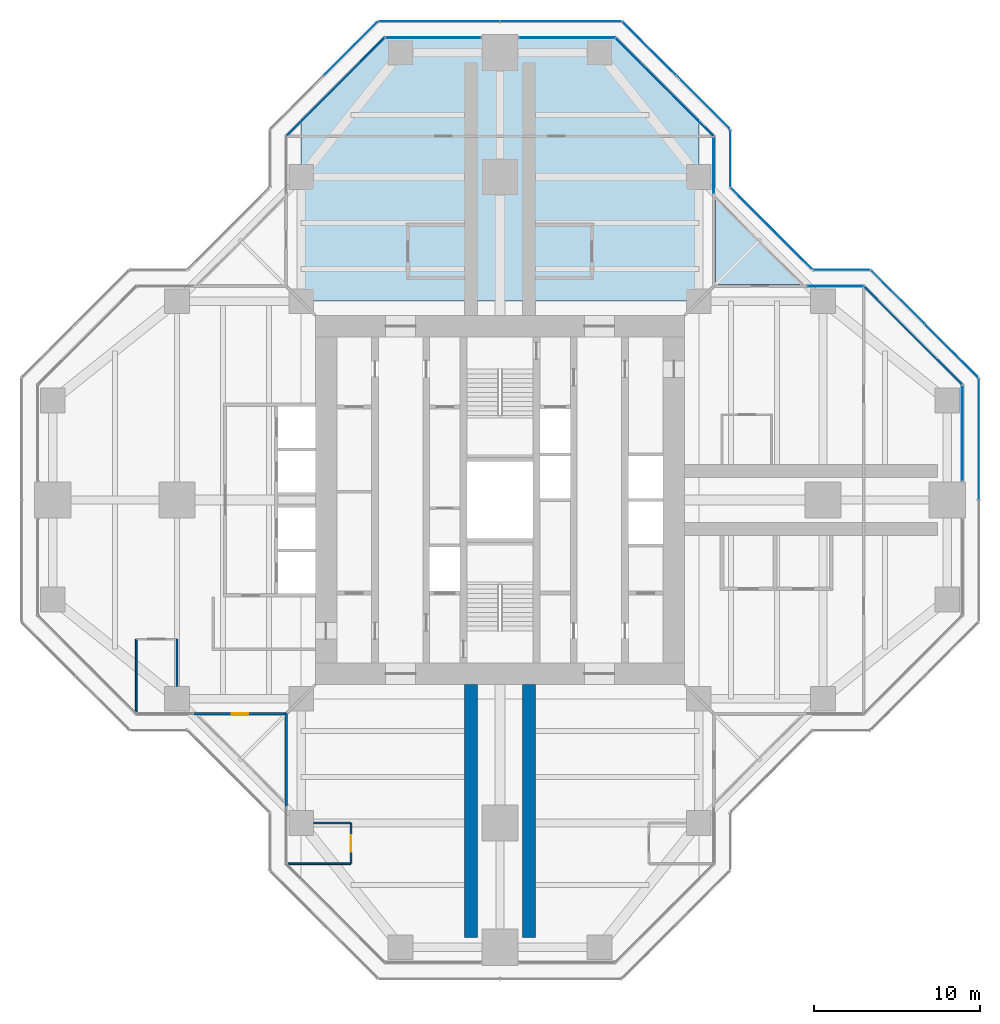
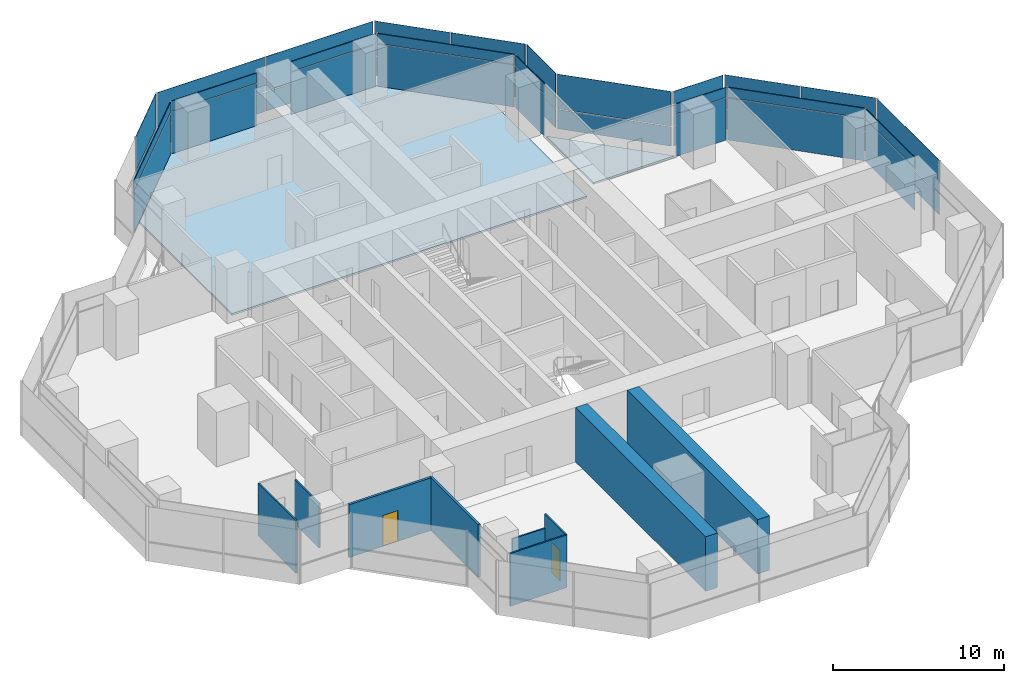
# One storey, part 12 of 17: 38 plates, 9 walls, 2 doors, 2 slabs, 2 openings, 16 elements without a shape of their own.
"""IFC4 building model written with IfcOpenShell, lengths in metres."""

from ifc_helpers import new_model, si_unit, direction, frame, frame_2d, origin, origin_2d, place, context, subcontext, project, spatial, polyline, rectangle, outline, extrude, material, layer, layer_set, type_object, element, fill, aggregate, save


model = new_model("IFC4")

# Units and contexts
model_context = context("Model", 3, precision=1e-05, world=origin(), true_north=direction((0.0, 1.0)))
body_context = subcontext(model_context, "Body", "Model", "MODEL_VIEW")
ifc_project = project(units=[si_unit("LENGTHUNIT", "METRE"), si_unit("AREAUNIT", "SQUARE_METRE"), si_unit("VOLUMEUNIT", "CUBIC_METRE"), si_unit("PLANEANGLEUNIT", "RADIAN"), si_unit("MASSUNIT", "GRAM", prefix="KILO")], contexts=[model_context])

# Site, building, storey
site_placement = place(None, origin())
site = spatial("IfcSite", under=ifc_project, at=site_placement, CompositionType="ELEMENT")
building_placement = place(site_placement, origin())
building = spatial("IfcBuilding", under=site, at=building_placement, Name="Mizan Broadcast Tower", CompositionType="ELEMENT")
storey_placement = place(building_placement, frame((0.0, 0.0, 236.10009765625)))
storey = spatial("IfcBuildingStorey", under=building, at=storey_placement, Name="L55", CompositionType="ELEMENT", Elevation=236.10009765625)

# Slab
ifc_material_1 = material(Name="Concrete C32/40", Category="concrete")
ifc_layer_1 = layer(ifc_material_1, 0.1298828125)
ifc_layer_set_1 = layer_set([ifc_layer_1], Name="Concrete C32/40")
slab_type_1 = type_object("IfcSlabType", Name="COMPOSITE DECK SLAB 130", PredefinedType="FLOOR", material=ifc_layer_set_1)
slab_1_placement = place(storey_placement, frame((0.0, 0.0, -0.130126953125)))
element("IfcSlab", 1, at=slab_1_placement, inside=storey, type_object=slab_type_1, Name="Floor slab L55 north arm", PredefinedType="FLOOR", context=body_context, shape_type="SweptSolid", body=[
    extrude(outline(polyline([(-7.0, 28.0), (-12.0, 23.0), (-12.0, 12.0), (12.0, 12.0), (12.0, 23.0), (7.0, 28.0), (-7.0, 28.0)])), origin(), (0.0, 0.0, 1.0), 0.130126953125),
])

# Curtain wall, plate
ifc_material_2 = material(Name="Aluminium framed glazing", Category="aluminium")
curtain_wall_type_1 = type_object("IfcCurtainWallType", Name="INNER SKIN HIGH ZONE", PredefinedType="USERDEFINED", material=ifc_material_2)
curtain_wall_1_placement = place(storey_placement, origin())
curtain_wall_1 = element("IfcCurtainWall", 2, at=curtain_wall_1_placement, inside=storey, type_object=curtain_wall_type_1, Name="Inner skin high zone L55 E end", ObjectType="INNER SKIN HIGH ZONE", PredefinedType="USERDEFINED")
ifc_material_3 = material(Name="Double glazing, clear low-e", Category="glass")
ifc_layer_2 = layer(ifc_material_3, 0.028076171875)
ifc_layer_set_2 = layer_set([ifc_layer_2], Name="Double glazing, clear low-e")
plate_type_1 = type_object("IfcPlateType", Name="INNER SKIN GLAZING UNIT", PredefinedType="CURTAIN_PANEL", material=ifc_layer_set_2)
plate_1_placement = place(storey_placement, frame((27.89990234375, 4.029296875, 0.0), z_axis=(0.0, 0.0, 1.0), x_axis=(0.0, 1.0, 0.0)))
plate_1 = element("IfcPlate", 3, at=plate_1_placement, type_object=plate_type_1, Name="Inner skin high zone L55 E end panel 1.1", PredefinedType="CURTAIN_PANEL", context=body_context, shape_type="SweptSolid", body=[
    extrude(rectangle(XDim=5.738525390625, YDim=0.028076171875, at=origin_2d()), origin(), (0.0, 0.0, 1.0), 3.0),
])

curtain_wall_2_placement = place(storey_placement, origin())
curtain_wall_2 = element("IfcCurtainWall", 4, at=curtain_wall_2_placement, inside=storey, type_object=curtain_wall_type_1, Name="Inner skin high zone L55 E chamfer", ObjectType="INNER SKIN HIGH ZONE", PredefinedType="USERDEFINED")
plate_2_placement = place(storey_placement, frame((24.92919921875, 9.92919921875, 0.0), z_axis=(0.0, 0.0, 1.0), x_axis=(-0.707106781187, 0.707106781187, 0.0)))
plate_2 = element("IfcPlate", 5, at=plate_2_placement, type_object=plate_type_1, Name="Inner skin high zone L55 E chamfer panel 1.1", PredefinedType="CURTAIN_PANEL", context=body_context, shape_type="SweptSolid", body=[
    extrude(rectangle(XDim=8.282470703125, YDim=0.028076171875, at=origin_2d()), origin(), (0.0, 0.0, 1.0), 3.0),
])

curtain_wall_3_placement = place(storey_placement, origin())
curtain_wall_3 = element("IfcCurtainWall", 6, at=curtain_wall_3_placement, inside=storey, type_object=curtain_wall_type_1, Name="Inner skin high zone L55 E side", ObjectType="INNER SKIN HIGH ZONE", PredefinedType="USERDEFINED")
plate_3_placement = place(storey_placement, frame((20.229248046875, 12.89990234375, 0.0), z_axis=(0.0, 0.0, 1.0), x_axis=(-1.0, 0.0, 0.0)))
plate_3 = element("IfcPlate", 7, at=plate_3_placement, type_object=plate_type_1, Name="Inner skin high zone L55 E side panel 1.1", PredefinedType="CURTAIN_PANEL", context=body_context, shape_type="SweptSolid", body=[
    extrude(rectangle(XDim=3.338623046875, YDim=0.028076171875, at=origin_2d()), origin(), (0.0, 0.0, 1.0), 3.0),
])

curtain_wall_4_placement = place(storey_placement, origin())
curtain_wall_4 = element("IfcCurtainWall", 8, at=curtain_wall_4_placement, inside=storey, type_object=curtain_wall_type_1, Name="Inner skin high zone L55 N side", ObjectType="INNER SKIN HIGH ZONE", PredefinedType="USERDEFINED")
plate_4_placement = place(storey_placement, frame((12.89990234375, 20.229248046875, 0.0), z_axis=(0.0, 0.0, 1.0), x_axis=(0.0, 1.0, 0.0)))
plate_4 = element("IfcPlate", 9, at=plate_4_placement, type_object=plate_type_1, Name="Inner skin high zone L55 N side panel 1.1", PredefinedType="CURTAIN_PANEL", context=body_context, shape_type="SweptSolid", body=[
    extrude(rectangle(XDim=3.338623046875, YDim=0.028076171875, at=origin_2d()), origin(), (0.0, 0.0, 1.0), 3.0),
])

curtain_wall_5_placement = place(storey_placement, origin())
curtain_wall_5 = element("IfcCurtainWall", 10, at=curtain_wall_5_placement, inside=storey, type_object=curtain_wall_type_1, Name="Inner skin high zone L55 N chamfer", ObjectType="INNER SKIN HIGH ZONE", PredefinedType="USERDEFINED")
plate_5_placement = place(storey_placement, frame((9.92919921875, 24.92919921875, 0.0), z_axis=(0.0, 0.0, 1.0), x_axis=(-0.707106781187, 0.707106781187, 0.0)))
plate_5 = element("IfcPlate", 11, at=plate_5_placement, type_object=plate_type_1, Name="Inner skin high zone L55 N chamfer panel 1.1", PredefinedType="CURTAIN_PANEL", context=body_context, shape_type="SweptSolid", body=[
    extrude(rectangle(XDim=8.282470703125, YDim=0.028076171875, at=origin_2d()), origin(), (0.0, 0.0, 1.0), 3.0),
])

curtain_wall_6_placement = place(storey_placement, origin())
curtain_wall_6 = element("IfcCurtainWall", 12, at=curtain_wall_6_placement, inside=storey, type_object=curtain_wall_type_1, Name="Inner skin high zone L55 N end", ObjectType="INNER SKIN HIGH ZONE", PredefinedType="USERDEFINED")
plate_6_placement = place(storey_placement, frame((4.029296875, 27.89990234375, 0.0), z_axis=(0.0, 0.0, 1.0), x_axis=(-1.0, 0.0, 0.0)))
plate_6 = element("IfcPlate", 13, at=plate_6_placement, type_object=plate_type_1, Name="Inner skin high zone L55 N end panel 1.1", PredefinedType="CURTAIN_PANEL", context=body_context, shape_type="SweptSolid", body=[
    extrude(rectangle(XDim=5.738525390625, YDim=0.028076171875, at=origin_2d()), origin(), (0.0, 0.0, 1.0), 3.0),
])

curtain_wall_7_placement = place(storey_placement, origin())
curtain_wall_7 = element("IfcCurtainWall", 14, at=curtain_wall_7_placement, inside=storey, type_object=curtain_wall_type_1, Name="Inner skin high zone L55 N end", ObjectType="INNER SKIN HIGH ZONE", PredefinedType="USERDEFINED")
plate_7_placement = place(storey_placement, frame((-4.029296875, 27.89990234375, 0.0), z_axis=(0.0, 0.0, 1.0), x_axis=(-1.0, 0.0, 0.0)))
plate_7 = element("IfcPlate", 15, at=plate_7_placement, type_object=plate_type_1, Name="Inner skin high zone L55 N end panel 1.1", PredefinedType="CURTAIN_PANEL", context=body_context, shape_type="SweptSolid", body=[
    extrude(rectangle(XDim=5.738525390625, YDim=0.028076171875, at=origin_2d()), origin(), (0.0, 0.0, 1.0), 3.0),
])

curtain_wall_8_placement = place(storey_placement, origin())
curtain_wall_8 = element("IfcCurtainWall", 16, at=curtain_wall_8_placement, inside=storey, type_object=curtain_wall_type_1, Name="Inner skin high zone L55 N chamfer", ObjectType="INNER SKIN HIGH ZONE", PredefinedType="USERDEFINED")
plate_8_placement = place(storey_placement, frame((-9.92919921875, 24.92919921875, 0.0), z_axis=(0.0, 0.0, 1.0), x_axis=(-0.707106781187, -0.707106781187, 0.0)))
plate_8 = element("IfcPlate", 17, at=plate_8_placement, type_object=plate_type_1, Name="Inner skin high zone L55 N chamfer panel 1.1", PredefinedType="CURTAIN_PANEL", context=body_context, shape_type="SweptSolid", body=[
    extrude(rectangle(XDim=8.282470703125, YDim=0.028076171875, at=origin_2d()), origin(), (0.0, 0.0, 1.0), 3.0),
])

# Plate
ifc_material_4 = material(Name="Insulated aluminium spandrel panel, pale anodised", Category="aluminium")
ifc_layer_3 = layer(ifc_material_4, 0.050048828125)
ifc_layer_set_3 = layer_set([ifc_layer_3], Name="Insulated aluminium spandrel panel, pale anodised")
plate_type_2 = type_object("IfcPlateType", Name="INNER SKIN SPANDREL PANEL", PredefinedType="CURTAIN_PANEL", material=ifc_layer_set_3)
plate_9_placement = place(storey_placement, frame((27.89990234375, 4.029296875, 3.059814453125), z_axis=(0.0, 0.0, 1.0), x_axis=(0.0, 1.0, 0.0)))
plate_9 = element("IfcPlate", 18, at=plate_9_placement, type_object=plate_type_2, Name="Inner skin high zone L55 E end panel 1.2", PredefinedType="CURTAIN_PANEL", context=body_context, shape_type="SweptSolid", body=[
    extrude(rectangle(XDim=5.738525390625, YDim=0.050048828125, at=origin_2d()), origin(), (0.0, 0.0, 1.0), 0.7099609375),
])

aggregate(curtain_wall_1, [plate_1, plate_9])

plate_10_placement = place(storey_placement, frame((24.92919921875, 9.92919921875, 3.059814453125), z_axis=(0.0, 0.0, 1.0), x_axis=(-0.707106781187, 0.707106781187, 0.0)))
plate_10 = element("IfcPlate", 19, at=plate_10_placement, type_object=plate_type_2, Name="Inner skin high zone L55 E chamfer panel 1.2", PredefinedType="CURTAIN_PANEL", context=body_context, shape_type="SweptSolid", body=[
    extrude(rectangle(XDim=8.282470703125, YDim=0.050048828125, at=origin_2d()), origin(), (0.0, 0.0, 1.0), 0.7099609375),
])

aggregate(curtain_wall_2, [plate_2, plate_10])

plate_11_placement = place(storey_placement, frame((20.229248046875, 12.89990234375, 3.059814453125), z_axis=(0.0, 0.0, 1.0), x_axis=(-1.0, 0.0, 0.0)))
plate_11 = element("IfcPlate", 20, at=plate_11_placement, type_object=plate_type_2, Name="Inner skin high zone L55 E side panel 1.2", PredefinedType="CURTAIN_PANEL", context=body_context, shape_type="SweptSolid", body=[
    extrude(rectangle(XDim=3.338623046875, YDim=0.050048828125, at=origin_2d()), origin(), (0.0, 0.0, 1.0), 0.7099609375),
])

aggregate(curtain_wall_3, [plate_3, plate_11])

plate_12_placement = place(storey_placement, frame((12.89990234375, 20.229248046875, 3.059814453125), z_axis=(0.0, 0.0, 1.0), x_axis=(0.0, 1.0, 0.0)))
plate_12 = element("IfcPlate", 21, at=plate_12_placement, type_object=plate_type_2, Name="Inner skin high zone L55 N side panel 1.2", PredefinedType="CURTAIN_PANEL", context=body_context, shape_type="SweptSolid", body=[
    extrude(rectangle(XDim=3.338623046875, YDim=0.050048828125, at=origin_2d()), origin(), (0.0, 0.0, 1.0), 0.7099609375),
])

aggregate(curtain_wall_4, [plate_4, plate_12])

plate_13_placement = place(storey_placement, frame((9.92919921875, 24.92919921875, 3.059814453125), z_axis=(0.0, 0.0, 1.0), x_axis=(-0.707106781187, 0.707106781187, 0.0)))
plate_13 = element("IfcPlate", 22, at=plate_13_placement, type_object=plate_type_2, Name="Inner skin high zone L55 N chamfer panel 1.2", PredefinedType="CURTAIN_PANEL", context=body_context, shape_type="SweptSolid", body=[
    extrude(rectangle(XDim=8.282470703125, YDim=0.050048828125, at=origin_2d()), origin(), (0.0, 0.0, 1.0), 0.7099609375),
])

aggregate(curtain_wall_5, [plate_5, plate_13])

plate_14_placement = place(storey_placement, frame((4.029296875, 27.89990234375, 3.059814453125), z_axis=(0.0, 0.0, 1.0), x_axis=(-1.0, 0.0, 0.0)))
plate_14 = element("IfcPlate", 23, at=plate_14_placement, type_object=plate_type_2, Name="Inner skin high zone L55 N end panel 1.2", PredefinedType="CURTAIN_PANEL", context=body_context, shape_type="SweptSolid", body=[
    extrude(rectangle(XDim=5.738525390625, YDim=0.050048828125, at=origin_2d()), origin(), (0.0, 0.0, 1.0), 0.7099609375),
])

aggregate(curtain_wall_6, [plate_6, plate_14])

plate_15_placement = place(storey_placement, frame((-4.029296875, 27.89990234375, 3.059814453125), z_axis=(0.0, 0.0, 1.0), x_axis=(-1.0, 0.0, 0.0)))
plate_15 = element("IfcPlate", 24, at=plate_15_placement, type_object=plate_type_2, Name="Inner skin high zone L55 N end panel 1.2", PredefinedType="CURTAIN_PANEL", context=body_context, shape_type="SweptSolid", body=[
    extrude(rectangle(XDim=5.738525390625, YDim=0.050048828125, at=origin_2d()), origin(), (0.0, 0.0, 1.0), 0.7099609375),
])

aggregate(curtain_wall_7, [plate_7, plate_15])

plate_16_placement = place(storey_placement, frame((-9.92919921875, 24.92919921875, 3.059814453125), z_axis=(0.0, 0.0, 1.0), x_axis=(-0.707106781187, -0.707106781187, 0.0)))
plate_16 = element("IfcPlate", 25, at=plate_16_placement, type_object=plate_type_2, Name="Inner skin high zone L55 N chamfer panel 1.2", PredefinedType="CURTAIN_PANEL", context=body_context, shape_type="SweptSolid", body=[
    extrude(rectangle(XDim=8.282470703125, YDim=0.050048828125, at=origin_2d()), origin(), (0.0, 0.0, 1.0), 0.7099609375),
])

aggregate(curtain_wall_8, [plate_8, plate_16])

# Curtain wall, plates
ifc_material_5 = material(Name="Aluminium framed glazing", Category="aluminium")
curtain_wall_type_2 = type_object("IfcCurtainWallType", Name="OUTER SKIN", PredefinedType="USERDEFINED", material=ifc_material_5)
curtain_wall_9_placement = place(storey_placement, origin())
curtain_wall_9 = element("IfcCurtainWall", 26, at=curtain_wall_9_placement, inside=storey, type_object=curtain_wall_type_2, Name="Outer skin L55 E chamfer", ObjectType="OUTER SKIN", PredefinedType="USERDEFINED")
ifc_material_6 = material(Name="Laminated clear glass", Category="glass")
ifc_layer_4 = layer(ifc_material_6, 0.02001953125)
ifc_layer_set_4 = layer_set([ifc_layer_4], Name="Laminated clear glass")
plate_type_3 = type_object("IfcPlateType", Name="OUTER SKIN CLEAR GLASS", PredefinedType="CURTAIN_PANEL", material=ifc_layer_set_4)
plate_17_placement = place(storey_placement, frame((27.254150390625, 9.018798828125, -0.000244140625), z_axis=(0.0, 0.0, 1.0), x_axis=(-0.707106781187, 0.707106781187, 0.0)))
plate_17 = element("IfcPlate", 27, at=plate_17_placement, type_object=plate_type_3, Name="Outer skin L55 E chamfer panel 1.1", PredefinedType="CURTAIN_PANEL", context=body_context, shape_type="SweptSolid", body=[
    extrude(rectangle(XDim=4.495361328125, YDim=0.02001953125, at=origin_2d()), origin(), (0.0, 0.0, 1.0), 1.3701171875),
])
plate_18_placement = place(storey_placement, frame((27.254150390625, 9.018798828125, 1.4296875), z_axis=(0.0, 0.0, 1.0), x_axis=(-0.707106781187, 0.707106781187, 0.0)))
plate_18 = element("IfcPlate", 28, at=plate_18_placement, type_object=plate_type_3, Name="Outer skin L55 E chamfer panel 1.2", PredefinedType="CURTAIN_PANEL", context=body_context, shape_type="SweptSolid", body=[
    extrude(rectangle(XDim=4.495361328125, YDim=0.02001953125, at=origin_2d()), origin(), (0.0, 0.0, 1.0), 2.469970703125),
])

curtain_wall_10_placement = place(storey_placement, origin())
curtain_wall_10 = element("IfcCurtainWall", 29, at=curtain_wall_10_placement, inside=storey, type_object=curtain_wall_type_2, Name="Outer skin L55 E side", ObjectType="OUTER SKIN", PredefinedType="USERDEFINED")
plate_19_placement = place(storey_placement, frame((20.622802734375, 13.89990234375, -0.000244140625), z_axis=(0.0, 0.0, 1.0), x_axis=(-1.0, 0.0, 0.0)))
plate_19 = element("IfcPlate", 30, at=plate_19_placement, type_object=plate_type_3, Name="Outer skin L55 E side panel 1.1", PredefinedType="CURTAIN_PANEL", context=body_context, shape_type="SweptSolid", body=[
    extrude(rectangle(XDim=3.340087890625, YDim=0.02001953125, at=origin_2d()), origin(), (0.0, 0.0, 1.0), 1.3701171875),
])
plate_20_placement = place(storey_placement, frame((20.622802734375, 13.89990234375, 1.4296875), z_axis=(0.0, 0.0, 1.0), x_axis=(-1.0, 0.0, 0.0)))
plate_20 = element("IfcPlate", 31, at=plate_20_placement, type_object=plate_type_3, Name="Outer skin L55 E side panel 1.2", PredefinedType="CURTAIN_PANEL", context=body_context, shape_type="SweptSolid", body=[
    extrude(rectangle(XDim=3.340087890625, YDim=0.02001953125, at=origin_2d()), origin(), (0.0, 0.0, 1.0), 2.469970703125),
])
aggregate(curtain_wall_10, [plate_19, plate_20])

curtain_wall_11_placement = place(storey_placement, origin())
curtain_wall_11 = element("IfcCurtainWall", 32, at=curtain_wall_11_placement, inside=storey, type_object=curtain_wall_type_2, Name="Outer skin L55 E chamfer", ObjectType="OUTER SKIN", PredefinedType="USERDEFINED")
plate_21_placement = place(storey_placement, frame((16.386474609375, 16.386474609375, -0.000244140625), z_axis=(0.0, 0.0, 1.0), x_axis=(-0.707106781187, 0.707106781187, 0.0)))
plate_21 = element("IfcPlate", 33, at=plate_21_placement, type_object=plate_type_3, Name="Outer skin L55 E chamfer panel 1.1", PredefinedType="CURTAIN_PANEL", context=body_context, shape_type="SweptSolid", body=[
    extrude(rectangle(XDim=6.87255859375, YDim=0.02001953125, at=origin_2d()), origin(), (0.0, 0.0, 1.0), 1.3701171875),
])
plate_22_placement = place(storey_placement, frame((16.386474609375, 16.386474609375, 1.4296875), z_axis=(0.0, 0.0, 1.0), x_axis=(-0.707106781187, 0.707106781187, 0.0)))
plate_22 = element("IfcPlate", 34, at=plate_22_placement, type_object=plate_type_3, Name="Outer skin L55 E chamfer panel 1.2", PredefinedType="CURTAIN_PANEL", context=body_context, shape_type="SweptSolid", body=[
    extrude(rectangle(XDim=6.87255859375, YDim=0.02001953125, at=origin_2d()), origin(), (0.0, 0.0, 1.0), 2.469970703125),
])
aggregate(curtain_wall_11, [plate_21, plate_22])

curtain_wall_12_placement = place(storey_placement, origin())
curtain_wall_12 = element("IfcCurtainWall", 35, at=curtain_wall_12_placement, inside=storey, type_object=curtain_wall_type_2, Name="Outer skin L55 N side", ObjectType="OUTER SKIN", PredefinedType="USERDEFINED")
plate_23_placement = place(storey_placement, frame((13.89990234375, 20.622802734375, -0.000244140625), z_axis=(0.0, 0.0, 1.0), x_axis=(0.0, 1.0, 0.0)))
plate_23 = element("IfcPlate", 36, at=plate_23_placement, type_object=plate_type_3, Name="Outer skin L55 N side panel 1.1", PredefinedType="CURTAIN_PANEL", context=body_context, shape_type="SweptSolid", body=[
    extrude(rectangle(XDim=3.340087890625, YDim=0.02001953125, at=origin_2d()), origin(), (0.0, 0.0, 1.0), 1.3701171875),
])
plate_24_placement = place(storey_placement, frame((13.89990234375, 20.622802734375, 1.4296875), z_axis=(0.0, 0.0, 1.0), x_axis=(0.0, 1.0, 0.0)))
plate_24 = element("IfcPlate", 37, at=plate_24_placement, type_object=plate_type_3, Name="Outer skin L55 N side panel 1.2", PredefinedType="CURTAIN_PANEL", context=body_context, shape_type="SweptSolid", body=[
    extrude(rectangle(XDim=3.340087890625, YDim=0.02001953125, at=origin_2d()), origin(), (0.0, 0.0, 1.0), 2.469970703125),
])
aggregate(curtain_wall_12, [plate_23, plate_24])

curtain_wall_13_placement = place(storey_placement, origin())
curtain_wall_13 = element("IfcCurtainWall", 38, at=curtain_wall_13_placement, inside=storey, type_object=curtain_wall_type_2, Name="Outer skin L55 N chamfer", ObjectType="OUTER SKIN", PredefinedType="USERDEFINED")
plate_25_placement = place(storey_placement, frame((12.254150390625, 24.018798828125, -0.000244140625), z_axis=(0.0, 0.0, 1.0), x_axis=(-0.707106781187, 0.707106781187, 0.0)))
plate_25 = element("IfcPlate", 39, at=plate_25_placement, type_object=plate_type_3, Name="Outer skin L55 N chamfer panel 1.1", PredefinedType="CURTAIN_PANEL", context=body_context, shape_type="SweptSolid", body=[
    extrude(rectangle(XDim=4.495361328125, YDim=0.02001953125, at=origin_2d()), origin(), (0.0, 0.0, 1.0), 1.3701171875),
])
plate_26_placement = place(storey_placement, frame((12.254150390625, 24.018798828125, 1.4296875), z_axis=(0.0, 0.0, 1.0), x_axis=(-0.707106781187, 0.707106781187, 0.0)))
plate_26 = element("IfcPlate", 40, at=plate_26_placement, type_object=plate_type_3, Name="Outer skin L55 N chamfer panel 1.2", PredefinedType="CURTAIN_PANEL", context=body_context, shape_type="SweptSolid", body=[
    extrude(rectangle(XDim=4.495361328125, YDim=0.02001953125, at=origin_2d()), origin(), (0.0, 0.0, 1.0), 2.469970703125),
])

curtain_wall_14_placement = place(storey_placement, origin())
curtain_wall_14 = element("IfcCurtainWall", 41, at=curtain_wall_14_placement, inside=storey, type_object=curtain_wall_type_2, Name="Outer skin L55 N end", ObjectType="OUTER SKIN", PredefinedType="USERDEFINED")
plate_27_placement = place(storey_placement, frame((3.66650390625, 28.89990234375, -0.000244140625), z_axis=(0.0, 0.0, 1.0), x_axis=(-1.0, 0.0, 0.0)))
plate_27 = element("IfcPlate", 42, at=plate_27_placement, type_object=plate_type_3, Name="Outer skin L55 N end panel 1.1", PredefinedType="CURTAIN_PANEL", context=body_context, shape_type="SweptSolid", body=[
    extrude(rectangle(XDim=7.252685546875, YDim=0.02001953125, at=origin_2d()), origin(), (0.0, 0.0, 1.0), 1.3701171875),
])
plate_28_placement = place(storey_placement, frame((3.66650390625, 28.89990234375, 1.4296875), z_axis=(0.0, 0.0, 1.0), x_axis=(-1.0, 0.0, 0.0)))
plate_28 = element("IfcPlate", 43, at=plate_28_placement, type_object=plate_type_3, Name="Outer skin L55 N end panel 1.2", PredefinedType="CURTAIN_PANEL", context=body_context, shape_type="SweptSolid", body=[
    extrude(rectangle(XDim=7.252685546875, YDim=0.02001953125, at=origin_2d()), origin(), (0.0, 0.0, 1.0), 2.469970703125),
])
plate_29_placement = place(storey_placement, frame((-3.66650390625, 28.89990234375, -0.000244140625), z_axis=(0.0, 0.0, 1.0), x_axis=(-1.0, 0.0, 0.0)))
plate_29 = element("IfcPlate", 44, at=plate_29_placement, type_object=plate_type_3, Name="Outer skin L55 N end panel 2.1", PredefinedType="CURTAIN_PANEL", context=body_context, shape_type="SweptSolid", body=[
    extrude(rectangle(XDim=7.252685546875, YDim=0.02001953125, at=origin_2d()), origin(), (0.0, 0.0, 1.0), 1.3701171875),
])
plate_30_placement = place(storey_placement, frame((-3.66650390625, 28.89990234375, 1.4296875), z_axis=(0.0, 0.0, 1.0), x_axis=(-1.0, 0.0, 0.0)))
plate_30 = element("IfcPlate", 45, at=plate_30_placement, type_object=plate_type_3, Name="Outer skin L55 N end panel 2.2", PredefinedType="CURTAIN_PANEL", context=body_context, shape_type="SweptSolid", body=[
    extrude(rectangle(XDim=7.252685546875, YDim=0.02001953125, at=origin_2d()), origin(), (0.0, 0.0, 1.0), 2.469970703125),
])
aggregate(curtain_wall_14, [plate_27, plate_28, plate_29, plate_30])

curtain_wall_15_placement = place(storey_placement, origin())
curtain_wall_15 = element("IfcCurtainWall", 46, at=curtain_wall_15_placement, inside=storey, type_object=curtain_wall_type_2, Name="Outer skin L55 N chamfer", ObjectType="OUTER SKIN", PredefinedType="USERDEFINED")
plate_31_placement = place(storey_placement, frame((-9.018798828125, 27.254150390625, -0.000244140625), z_axis=(0.0, 0.0, 1.0), x_axis=(-0.707106781187, -0.707106781187, 0.0)))
plate_31 = element("IfcPlate", 47, at=plate_31_placement, type_object=plate_type_3, Name="Outer skin L55 N chamfer panel 1.1", PredefinedType="CURTAIN_PANEL", context=body_context, shape_type="SweptSolid", body=[
    extrude(rectangle(XDim=4.495361328125, YDim=0.02001953125, at=origin_2d()), origin(), (0.0, 0.0, 1.0), 1.3701171875),
])
plate_32_placement = place(storey_placement, frame((-9.018798828125, 27.254150390625, 1.4296875), z_axis=(0.0, 0.0, 1.0), x_axis=(-0.707106781187, -0.707106781187, 0.0)))
plate_32 = element("IfcPlate", 48, at=plate_32_placement, type_object=plate_type_3, Name="Outer skin L55 N chamfer panel 1.2", PredefinedType="CURTAIN_PANEL", context=body_context, shape_type="SweptSolid", body=[
    extrude(rectangle(XDim=4.495361328125, YDim=0.02001953125, at=origin_2d()), origin(), (0.0, 0.0, 1.0), 2.469970703125),
])
aggregate(curtain_wall_15, [plate_31, plate_32])

curtain_wall_16_placement = place(storey_placement, origin())
curtain_wall_16 = element("IfcCurtainWall", 49, at=curtain_wall_16_placement, inside=storey, type_object=curtain_wall_type_2, Name="Outer skin L55 E end", ObjectType="OUTER SKIN", PredefinedType="USERDEFINED")
ifc_material_7 = material(Name="Perforated aluminium, pale anodised", Category="aluminium")
ifc_layer_5 = layer(ifc_material_7, 0.011962890625)
ifc_layer_set_5 = layer_set([ifc_layer_5], Name="Perforated aluminium, pale anodised")
plate_type_4 = type_object("IfcPlateType", Name="OUTER SKIN PERFORATED SCREEN", PredefinedType="USERDEFINED", material=ifc_layer_set_5)
plate_33_placement = place(storey_placement, frame((28.89990234375, 3.66650390625, -0.000244140625), z_axis=(0.0, 0.0, 1.0), x_axis=(0.0, 1.0, 0.0)))
plate_33 = element("IfcPlate", 50, at=plate_33_placement, type_object=plate_type_4, Name="Outer skin L55 E end panel 2.1", ObjectType="SCREEN", PredefinedType="USERDEFINED", context=body_context, shape_type="SweptSolid", body=[
    extrude(rectangle(XDim=7.252685546875, YDim=0.011962890625, at=origin_2d()), origin(), (0.0, 0.0, 1.0), 1.3701171875),
])
plate_34_placement = place(storey_placement, frame((28.89990234375, 3.66650390625, 1.4296875), z_axis=(0.0, 0.0, 1.0), x_axis=(0.0, 1.0, 0.0)))
plate_34 = element("IfcPlate", 51, at=plate_34_placement, type_object=plate_type_4, Name="Outer skin L55 E end panel 2.2", ObjectType="SCREEN", PredefinedType="USERDEFINED", context=body_context, shape_type="SweptSolid", body=[
    extrude(rectangle(XDim=7.252685546875, YDim=0.011962890625, at=origin_2d()), origin(), (0.0, 0.0, 1.0), 2.469970703125),
])
aggregate(curtain_wall_16, [plate_33, plate_34])

# Plate
plate_35_placement = place(storey_placement, frame((24.018798828125, 12.254150390625, -0.000244140625), z_axis=(0.0, 0.0, 1.0), x_axis=(-0.707106781187, 0.707106781187, 0.0)))
plate_35 = element("IfcPlate", 52, at=plate_35_placement, type_object=plate_type_4, Name="Outer skin L55 E chamfer panel 2.1", ObjectType="SCREEN", PredefinedType="USERDEFINED", context=body_context, shape_type="SweptSolid", body=[
    extrude(rectangle(XDim=4.495361328125, YDim=0.011962890625, at=origin_2d()), origin(), (0.0, 0.0, 1.0), 1.3701171875),
])

plate_36_placement = place(storey_placement, frame((24.018798828125, 12.254150390625, 1.4296875), z_axis=(0.0, 0.0, 1.0), x_axis=(-0.707106781187, 0.707106781187, 0.0)))
plate_36 = element("IfcPlate", 53, at=plate_36_placement, type_object=plate_type_4, Name="Outer skin L55 E chamfer panel 2.2", ObjectType="SCREEN", PredefinedType="USERDEFINED", context=body_context, shape_type="SweptSolid", body=[
    extrude(rectangle(XDim=4.495361328125, YDim=0.011962890625, at=origin_2d()), origin(), (0.0, 0.0, 1.0), 2.469970703125),
])

aggregate(curtain_wall_9, [plate_17, plate_18, plate_35, plate_36])

plate_37_placement = place(storey_placement, frame((9.018798828125, 27.254150390625, -0.000244140625), z_axis=(0.0, 0.0, 1.0), x_axis=(-0.707106781187, 0.707106781187, 0.0)))
plate_37 = element("IfcPlate", 54, at=plate_37_placement, type_object=plate_type_4, Name="Outer skin L55 N chamfer panel 2.1", ObjectType="SCREEN", PredefinedType="USERDEFINED", context=body_context, shape_type="SweptSolid", body=[
    extrude(rectangle(XDim=4.495361328125, YDim=0.011962890625, at=origin_2d()), origin(), (0.0, 0.0, 1.0), 1.3701171875),
])

plate_38_placement = place(storey_placement, frame((9.018798828125, 27.254150390625, 1.4296875), z_axis=(0.0, 0.0, 1.0), x_axis=(-0.707106781187, 0.707106781187, 0.0)))
plate_38 = element("IfcPlate", 55, at=plate_38_placement, type_object=plate_type_4, Name="Outer skin L55 N chamfer panel 2.2", ObjectType="SCREEN", PredefinedType="USERDEFINED", context=body_context, shape_type="SweptSolid", body=[
    extrude(rectangle(XDim=4.495361328125, YDim=0.011962890625, at=origin_2d()), origin(), (0.0, 0.0, 1.0), 2.469970703125),
])

aggregate(curtain_wall_13, [plate_25, plate_26, plate_37, plate_38])

# Slab
ifc_material_8 = material(Name="Concrete C32/40", Category="concrete")
ifc_layer_6 = layer(ifc_material_8, 0.1298828125)
ifc_layer_set_6 = layer_set([ifc_layer_6], Name="Concrete C32/40")
slab_type_2 = type_object("IfcSlabType", Name="WINTER GARDEN SLAB 130", PredefinedType="FLOOR", material=ifc_layer_set_6)
slab_2_placement = place(storey_placement, frame((0.0, 0.0, -0.130126953125)))
element("IfcSlab", 56, at=slab_2_placement, inside=storey, type_object=slab_type_2, Name="Winter garden slab L55 E", PredefinedType="FLOOR", context=body_context, shape_type="SweptSolid", body=[
    extrude(outline(polyline([(13.0, 13.0), (18.5, 13.0), (13.0, 18.5), (13.0, 13.0)])), origin(), (0.0, 0.0, 1.0), 0.130126953125),
])

# Wall, opening, door
ifc_material_9 = material(Name="Aluminium framed glazed screen", Category="aluminium")
ifc_layer_7 = layer(ifc_material_9, 0.159912109375)
ifc_layer_set_7 = layer_set([ifc_layer_7], Name="Aluminium framed glazed screen")
wall_type_1 = type_object("IfcWallType", Name="GLAZED SCREEN WALL 160", PredefinedType="SOLIDWALL", material=ifc_layer_set_7)
wall_1_placement = place(storey_placement, frame((-18.5, -12.89990234375, 0.0), z_axis=(0.0, 0.0, 1.0), x_axis=(1.0, 0.0, 0.0)))
wall_1 = element("IfcWall", 57, at=wall_1_placement, inside=storey, type_object=wall_type_1, Name="Winter garden screen L55 W", PredefinedType="SOLIDWALL", context=body_context, shape_type="SweptSolid", body=[
    extrude(rectangle(XDim=5.60009765625, YDim=0.159912109375, at=frame_2d((2.800048828125, 0.0))), origin(), (0.0, 0.0, 1.0), 3.77001953125),
])
opening_1_placement = place(wall_1_placement, frame((2.300048828125, 0.0, 0.0)))
opening_1 = element("IfcOpeningElement", 58, at=opening_1_placement, cuts=wall_1, Name="Opening WGD", PredefinedType="OPENING", context=body_context, shape_type="SweptSolid", body=[
    extrude(rectangle(XDim=1.0, YDim=2.199951171875, at=frame_2d((0.5, 1.10009765625))), frame((0.0, 0.08984375, 0.0), z_axis=(0.0, -1.0, 0.0), x_axis=(1.0, 0.0, 0.0)), (0.0, 0.0, 1.0), 0.179931640625),
])
ifc_material_10 = material(Name="Aluminium framed glazed door", Category="aluminium")
door_type_1 = type_object("IfcDoorType", Name="WINTER GARDEN DOOR 1000 GLAZED", OperationType="SINGLE_SWING_LEFT", PredefinedType="DOOR", material=ifc_material_10)
door_1_placement = place(opening_1_placement, origin())
door_1 = element("IfcDoor", 59, at=door_1_placement, inside=storey, type_object=door_type_1, Name="Winter garden door L55 W", OperationType="SINGLE_SWING_RIGHT", OverallHeight=2.199951171875, OverallWidth=1.0, PredefinedType="DOOR", context=body_context, shape_type="SweptSolid", body=[
    extrude(rectangle(XDim=1.0, YDim=2.199951171875, at=frame_2d((0.5, 1.10009765625))), frame((0.0, 0.02490234375, 0.0), z_axis=(0.0, -1.0, 0.0), x_axis=(1.0, 0.0, 0.0)), (0.0, 0.0, 1.0), 0.050048828125),
])
fill(opening_1, door_1)

# Walls
wall_2_placement = place(storey_placement, frame((-12.89990234375, -12.89990234375, 0.0), z_axis=(0.0, 0.0, 1.0), x_axis=(0.0, -1.0, 0.0)))
element("IfcWall", 60, at=wall_2_placement, inside=storey, type_object=wall_type_1, Name="Winter garden screen L55 S", PredefinedType="SOLIDWALL", context=body_context, shape_type="SweptSolid", body=[
    extrude(rectangle(XDim=5.60009765625, YDim=0.159912109375, at=frame_2d((2.800048828125, 0.0))), origin(), (0.0, 0.0, 1.0), 3.77001953125),
])
ifc_material_11 = material(Name="Glazed aluminium partition on aluminium track", Category="aluminium")
ifc_layer_8 = layer(ifc_material_11, 0.10009765625)
ifc_layer_set_8 = layer_set([ifc_layer_8], Name="Glazed aluminium partition on aluminium track")
wall_type_2 = type_object("IfcWallType", Name="PARTITION GLAZED OFFICE FRONT 100", PredefinedType="PARTITIONING", material=ifc_layer_set_8)
wall_3_placement = place(storey_placement, frame((-19.5, -8.39990234375, 0.0), z_axis=(0.0, 0.0, 1.0), x_axis=(0.0, -1.0, 0.0)))
element("IfcWall", 61, at=wall_3_placement, inside=storey, type_object=wall_type_2, Name="Glazed office front PT/WQP1950", PredefinedType="PARTITIONING", context=body_context, shape_type="SweptSolid", body=[
    extrude(rectangle(XDim=2.85009765625, YDim=0.10009765625, at=frame_2d((1.425048828125, 0.0))), origin(), (0.0, 0.0, 1.0), 3.179931640625),
])
wall_4_placement = place(storey_placement, frame((-21.958984375, -8.39990234375, 0.0), z_axis=(0.0, 0.0, 1.0), x_axis=(0.0, -1.0, 0.0)))
element("IfcWall", 62, at=wall_4_placement, inside=storey, type_object=wall_type_2, Name="Glazed office front PT/WQP2196", PredefinedType="PARTITIONING", context=body_context, shape_type="SweptSolid", body=[
    extrude(rectangle(XDim=4.420166015625, YDim=0.10009765625, at=frame_2d((2.2099609375, 0.0))), origin(), (0.0, 0.0, 1.0), 3.77001953125),
])

# Wall, opening, door
wall_5_placement = place(storey_placement, frame((-9.0, -19.5, 0.0), z_axis=(0.0, 0.0, 1.0), x_axis=(0.0, -1.0, 0.0)))
wall_5 = element("IfcWall", 63, at=wall_5_placement, inside=storey, type_object=wall_type_2, Name="Glazed office front PT/SCN0", PredefinedType="PARTITIONING", context=body_context, shape_type="SweptSolid", body=[
    extrude(rectangle(XDim=2.458984375, YDim=0.10009765625, at=frame_2d((1.2294921875, 0.0))), origin(), (0.0, 0.0, 1.0), 3.77001953125),
])
opening_2_placement = place(wall_5_placement, frame((0.7294921875, 0.0, 0.0)))
opening_2 = element("IfcOpeningElement", 64, at=opening_2_placement, cuts=wall_5, Name="Opening D10O", PredefinedType="OPENING", context=body_context, shape_type="SweptSolid", body=[
    extrude(rectangle(XDim=1.0, YDim=2.199951171875, at=frame_2d((0.5, 1.10009765625))), frame((0.0, 0.06005859375, 0.0), z_axis=(0.0, -1.0, 0.0), x_axis=(1.0, 0.0, 0.0)), (0.0, 0.0, 1.0), 0.1201171875),
])
ifc_material_12 = material(Name="Timber door leaf in aluminium frame", Category="wood")
door_type_2 = type_object("IfcDoorType", Name="OFFICE DOOR 1000 GLAZED", OperationType="SINGLE_SWING_LEFT", PredefinedType="DOOR", material=ifc_material_12)
door_2_placement = place(opening_2_placement, origin())
door_2 = element("IfcDoor", 65, at=door_2_placement, inside=storey, type_object=door_type_2, Name="Office door", OperationType="SINGLE_SWING_LEFT", OverallHeight=2.199951171875, OverallWidth=1.0, PredefinedType="DOOR", context=body_context, shape_type="SweptSolid", body=[
    extrude(rectangle(XDim=1.0, YDim=2.199951171875, at=frame_2d((0.5, 1.10009765625))), frame((0.0, 0.02490234375, 0.0), z_axis=(0.0, -1.0, 0.0), x_axis=(1.0, 0.0, 0.0)), (0.0, 0.0, 1.0), 0.050048828125),
])
fill(opening_2, door_2)

# Walls
wall_6_placement = place(storey_placement, frame((-9.0, -19.5, 0.0), z_axis=(0.0, 0.0, 1.0), x_axis=(-1.0, 0.0, 0.0)))
element("IfcWall", 66, at=wall_6_placement, inside=storey, type_object=wall_type_2, Name="Glazed office front PT/SQN1950", PredefinedType="PARTITIONING", context=body_context, shape_type="SweptSolid", body=[
    extrude(rectangle(XDim=2.25, YDim=0.10009765625, at=frame_2d((1.125, 0.0))), origin(), (0.0, 0.0, 1.0), 2.77001953125),
])
wall_7_placement = place(storey_placement, frame((-9.0, -21.958984375, 0.0), z_axis=(0.0, 0.0, 1.0), x_axis=(-1.0, 0.0, 0.0)))
element("IfcWall", 67, at=wall_7_placement, inside=storey, type_object=wall_type_2, Name="Glazed office front PT/SQN2196", PredefinedType="PARTITIONING", context=body_context, shape_type="SweptSolid", body=[
    extrude(rectangle(XDim=3.820068359375, YDim=0.10009765625, at=frame_2d((1.91015625, 0.0))), origin(), (0.0, 0.0, 1.0), 3.77001953125),
])
ifc_material_13 = material(Name="Concrete C70/85", Category="concrete")
ifc_layer_9 = layer(ifc_material_13, 0.800048828125)
ifc_layer_set_9 = layer_set([ifc_layer_9], Name="Concrete C70/85")
wall_type_3 = type_object("IfcWallType", Name="SPINE WALL 800", PredefinedType="SHEAR", material=ifc_layer_set_9)
for number, where, z_axis, x_axis, name in (
    (68, (-1.75, -11.14990234375, 0.0), (0.0, 0.0, 1.0), (0.0, -1.0, 0.0), "Spine wall SR L55"),
    (69, (1.75, -11.14990234375, 0.0), (0.0, 0.0, 1.0), (0.0, -1.0, 0.0), "Spine wall SL L55"),
):
    element("IfcWall", number, at=place(storey_placement, frame(where, z_axis=z_axis, x_axis=x_axis)), inside=storey, type_object=wall_type_3, Name=name, PredefinedType="SHEAR", context=body_context, shape_type="SweptSolid", body=[
        extrude(rectangle(XDim=15.25, YDim=0.800048828125, at=frame_2d((7.625, 0.0))), origin(), (0.0, 0.0, 1.0), 3.89990234375),
    ])

save(model, "model.ifc")
